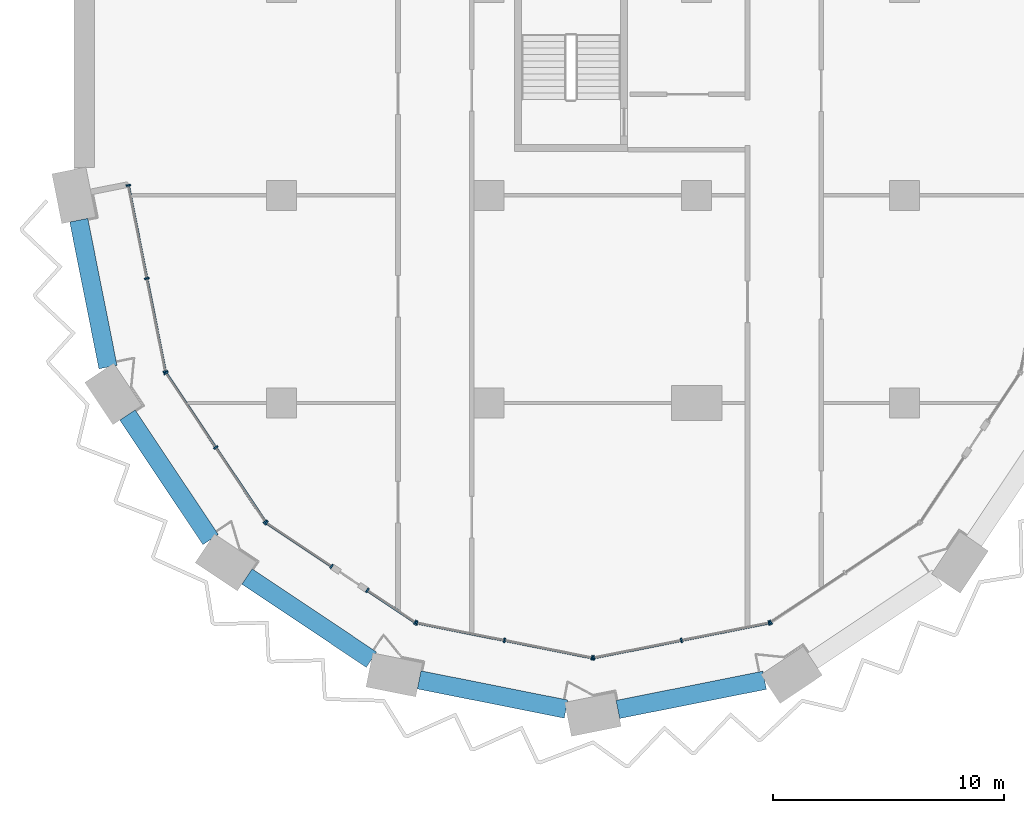
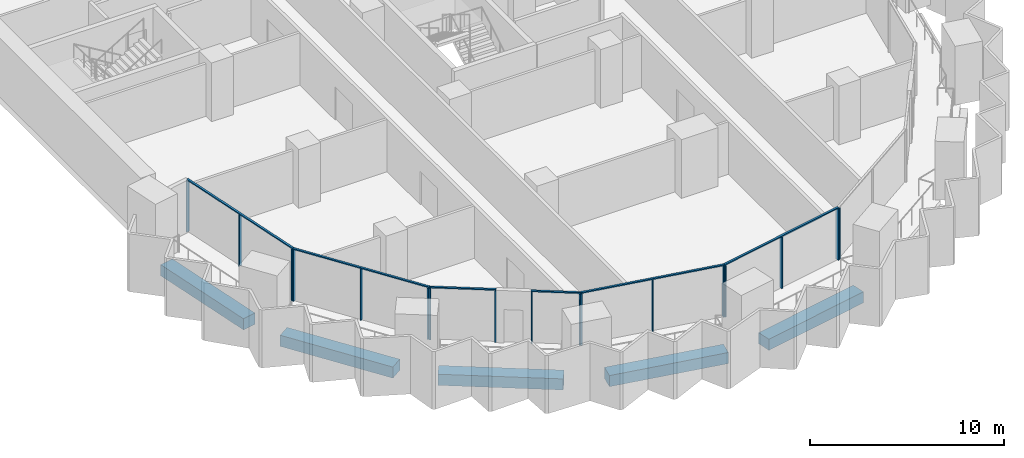
# One storey, part 2 of 22: 23 members, 5 beams, 7 elements without a shape of their own.
"""IFC4 building model written with IfcOpenShell, lengths in metres."""

from ifc_helpers import new_model, si_unit, direction, frame, origin, origin_2d, place, context, subcontext, project, spatial, rectangle, extrude, material, material_profile, profile_set, type_object, element, aggregate, save


model = new_model("IFC4")

# Units and contexts
model_context = context("Model", 3, precision=1e-05, world=origin(), true_north=direction((0.0, 1.0)))
body_context = subcontext(model_context, "Body", "Model", "MODEL_VIEW")
ifc_project = project(units=[si_unit("LENGTHUNIT", "METRE"), si_unit("AREAUNIT", "SQUARE_METRE"), si_unit("VOLUMEUNIT", "CUBIC_METRE"), si_unit("PLANEANGLEUNIT", "RADIAN"), si_unit("MASSUNIT", "GRAM", prefix="KILO")], contexts=[model_context])

# Site, building, storey
site_placement = place(None, origin())
site = spatial("IfcSite", under=ifc_project, at=site_placement, CompositionType="ELEMENT")
building_placement = place(site_placement, origin())
building = spatial("IfcBuilding", under=site, at=building_placement, Name="Hunhe Ridgeline Campus", CompositionType="ELEMENT")
storey_placement = place(building_placement, frame((0.0, 0.0, 118.10009765625)))
storey = spatial("IfcBuildingStorey", under=building, at=storey_placement, Name="L29", CompositionType="ELEMENT", Elevation=118.10009765625)

# Curtain wall, members
ifc_material_1 = material(Name="Aluminium 6063", Category="aluminium")
curtain_wall_type = type_object("IfcCurtainWallType", Name="Curtain wall CW-5", PredefinedType="NOTDEFINED", material=ifc_material_1)
curtain_wall_1_placement = place(storey_placement, origin())
curtain_wall_1 = element("IfcCurtainWall", 1, at=curtain_wall_1_placement, inside=storey, type_object=curtain_wall_type, Name="Curtain wall 01", PredefinedType="NOTDEFINED")
ifc_material_profile_1 = material_profile(ifc_material_1, rectangle(XDim=0.199951171875, YDim=0.070068359375, at=origin_2d()))
ifc_profile_set_1 = profile_set([ifc_material_profile_1], Name="Aluminium 6063")
member_type_1 = type_object("IfcMemberType", Name="CW-5 aluminium mullion", PredefinedType="MULLION", material=ifc_profile_set_1)
member_1_placement = place(storey_placement, frame((2.361572265625, 27.434326171875, 0.0), z_axis=(0.0, 0.0, 1.0), x_axis=(0.980784280831, 0.195095347137, 0.0)))
member_1 = element("IfcMember", 2, at=member_1_placement, type_object=member_type_1, Name="CW-5 mullion 1", PredefinedType="MULLION", context=body_context, shape_type="SweptSolid", body=[
    extrude(rectangle(XDim=0.199951171875, YDim=0.070068359375, at=origin_2d()), origin(), (0.0, 0.0, 1.0), 3.22998046875),
])
member_2_placement = place(storey_placement, frame((3.16455078125, 23.3974609375, 0.0), z_axis=(0.0, 0.0, 1.0), x_axis=(0.980784280831, 0.195095347137, 0.0)))
member_2 = element("IfcMember", 3, at=member_2_placement, type_object=member_type_1, Name="CW-5 mullion 2", PredefinedType="MULLION", context=body_context, shape_type="SweptSolid", body=[
    extrude(rectangle(XDim=0.199951171875, YDim=0.070068359375, at=origin_2d()), origin(), (0.0, 0.0, 1.0), 3.22998046875),
])
member_3_placement = place(storey_placement, frame((3.967529296875, 19.36083984375, 0.0), z_axis=(0.0, 0.0, 1.0), x_axis=(0.980784280831, 0.195095347137, 0.0)))
member_3 = element("IfcMember", 4, at=member_3_placement, type_object=member_type_1, Name="CW-5 mullion 3", PredefinedType="MULLION", context=body_context, shape_type="SweptSolid", body=[
    extrude(rectangle(XDim=0.199951171875, YDim=0.070068359375, at=origin_2d()), origin(), (0.0, 0.0, 1.0), 3.22998046875),
])

curtain_wall_2_placement = place(storey_placement, origin())
curtain_wall_2 = element("IfcCurtainWall", 5, at=curtain_wall_2_placement, inside=storey, type_object=curtain_wall_type, Name="Curtain wall 02", PredefinedType="NOTDEFINED")
member_4_placement = place(storey_placement, frame((3.993896484375, 19.29736328125, 0.0), z_axis=(0.0, 0.0, 1.0), x_axis=(0.831469584522, 0.555570274596, 0.0)))
member_4 = element("IfcMember", 6, at=member_4_placement, type_object=member_type_1, Name="CW-5 mullion 1", PredefinedType="MULLION", context=body_context, shape_type="SweptSolid", body=[
    extrude(rectangle(XDim=0.199951171875, YDim=0.070068359375, at=origin_2d()), origin(), (0.0, 0.0, 1.0), 3.22998046875),
])
member_5_placement = place(storey_placement, frame((6.147705078125, 16.07373046875, 0.0), z_axis=(0.0, 0.0, 1.0), x_axis=(0.831469584522, 0.555570274596, 0.0)))
member_5 = element("IfcMember", 7, at=member_5_placement, type_object=member_type_1, Name="CW-5 mullion 2", PredefinedType="MULLION", context=body_context, shape_type="SweptSolid", body=[
    extrude(rectangle(XDim=0.199951171875, YDim=0.070068359375, at=origin_2d()), origin(), (0.0, 0.0, 1.0), 3.22998046875),
])
member_6_placement = place(storey_placement, frame((8.3017578125, 12.850341796875, 0.0), z_axis=(0.0, 0.0, 1.0), x_axis=(0.831469584522, 0.555570274596, 0.0)))
member_6 = element("IfcMember", 8, at=member_6_placement, type_object=member_type_1, Name="CW-5 mullion 3", PredefinedType="MULLION", context=body_context, shape_type="SweptSolid", body=[
    extrude(rectangle(XDim=0.199951171875, YDim=0.070068359375, at=origin_2d()), origin(), (0.0, 0.0, 1.0), 3.22998046875),
])

curtain_wall_3_placement = place(storey_placement, origin())
curtain_wall_3 = element("IfcCurtainWall", 9, at=curtain_wall_3_placement, inside=storey, type_object=curtain_wall_type, Name="Curtain wall 03", PredefinedType="NOTDEFINED")
member_7_placement = place(storey_placement, frame((8.350341796875, 12.8017578125, 0.0), z_axis=(0.0, 0.0, 1.0), x_axis=(0.555570257501, 0.831469595944, 0.0)))
member_7 = element("IfcMember", 10, at=member_7_placement, type_object=member_type_1, Name="CW-5 mullion 1", PredefinedType="MULLION", context=body_context, shape_type="SweptSolid", body=[
    extrude(rectangle(XDim=0.199951171875, YDim=0.070068359375, at=origin_2d()), origin(), (0.0, 0.0, 1.0), 3.22998046875),
])
member_8_placement = place(storey_placement, frame((11.17041015625, 10.917236328125, 0.0), z_axis=(0.0, 0.0, 1.0), x_axis=(0.555570257501, 0.831469595944, 0.0)))
member_8 = element("IfcMember", 11, at=member_8_placement, type_object=member_type_1, Name="CW-5 mullion 2", PredefinedType="MULLION", context=body_context, shape_type="SweptSolid", body=[
    extrude(rectangle(XDim=0.199951171875, YDim=0.070068359375, at=origin_2d()), origin(), (0.0, 0.0, 1.0), 3.22998046875),
])

curtain_wall_4_placement = place(storey_placement, origin())
curtain_wall_4 = element("IfcCurtainWall", 12, at=curtain_wall_4_placement, inside=storey, type_object=curtain_wall_type, Name="Curtain wall 04", PredefinedType="NOTDEFINED")
member_9_placement = place(storey_placement, frame((12.725341796875, 9.87841796875, 0.0), z_axis=(0.0, 0.0, 1.0), x_axis=(0.555570385598, 0.831469510353, 0.0)))
member_9 = element("IfcMember", 13, at=member_9_placement, type_object=member_type_1, Name="CW-5 mullion 1", PredefinedType="MULLION", context=body_context, shape_type="SweptSolid", body=[
    extrude(rectangle(XDim=0.199951171875, YDim=0.070068359375, at=origin_2d()), origin(), (0.0, 0.0, 1.0), 3.22998046875),
])
member_10_placement = place(storey_placement, frame((14.79736328125, 8.493896484375, 0.0), z_axis=(0.0, 0.0, 1.0), x_axis=(0.555570385598, 0.831469510353, 0.0)))
member_10 = element("IfcMember", 14, at=member_10_placement, type_object=member_type_1, Name="CW-5 mullion 2", PredefinedType="MULLION", context=body_context, shape_type="SweptSolid", body=[
    extrude(rectangle(XDim=0.199951171875, YDim=0.070068359375, at=origin_2d()), origin(), (0.0, 0.0, 1.0), 3.22998046875),
])

curtain_wall_5_placement = place(storey_placement, origin())
curtain_wall_5 = element("IfcCurtainWall", 15, at=curtain_wall_5_placement, inside=storey, type_object=curtain_wall_type, Name="Curtain wall 05", PredefinedType="NOTDEFINED")
member_11_placement = place(storey_placement, frame((14.86083984375, 8.467529296875, 0.0), z_axis=(0.0, 0.0, 1.0), x_axis=(0.195090347539, 0.980785275326, 0.0)))
member_11 = element("IfcMember", 16, at=member_11_placement, type_object=member_type_1, Name="CW-5 mullion 1", PredefinedType="MULLION", context=body_context, shape_type="SweptSolid", body=[
    extrude(rectangle(XDim=0.199951171875, YDim=0.070068359375, at=origin_2d()), origin(), (0.0, 0.0, 1.0), 3.22998046875),
])
member_12_placement = place(storey_placement, frame((18.663330078125, 7.711181640625, 0.0), z_axis=(0.0, 0.0, 1.0), x_axis=(0.195090347539, 0.980785275326, 0.0)))
member_12 = element("IfcMember", 17, at=member_12_placement, type_object=member_type_1, Name="CW-5 mullion 2", PredefinedType="MULLION", context=body_context, shape_type="SweptSolid", body=[
    extrude(rectangle(XDim=0.199951171875, YDim=0.070068359375, at=origin_2d()), origin(), (0.0, 0.0, 1.0), 3.22998046875),
])
member_13_placement = place(storey_placement, frame((22.465576171875, 6.954833984375, 0.0), z_axis=(0.0, 0.0, 1.0), x_axis=(0.195090347539, 0.980785275326, 0.0)))
member_13 = element("IfcMember", 18, at=member_13_placement, type_object=member_type_1, Name="CW-5 mullion 3", PredefinedType="MULLION", context=body_context, shape_type="SweptSolid", body=[
    extrude(rectangle(XDim=0.199951171875, YDim=0.070068359375, at=origin_2d()), origin(), (0.0, 0.0, 1.0), 3.22998046875),
])

curtain_wall_6_placement = place(storey_placement, origin())
curtain_wall_6 = element("IfcCurtainWall", 19, at=curtain_wall_6_placement, inside=storey, type_object=curtain_wall_type, Name="Curtain wall 06", PredefinedType="NOTDEFINED")
member_14_placement = place(storey_placement, frame((22.534423828125, 6.954833984375, 0.0), z_axis=(0.0, 0.0, 1.0), x_axis=(-0.195090347539, 0.980785275326, 0.0)))
member_14 = element("IfcMember", 20, at=member_14_placement, type_object=member_type_1, Name="CW-5 mullion 1", PredefinedType="MULLION", context=body_context, shape_type="SweptSolid", body=[
    extrude(rectangle(XDim=0.199951171875, YDim=0.070068359375, at=origin_2d()), origin(), (0.0, 0.0, 1.0), 3.22998046875),
])
member_15_placement = place(storey_placement, frame((26.336669921875, 7.711181640625, 0.0), z_axis=(0.0, 0.0, 1.0), x_axis=(-0.195090347539, 0.980785275326, 0.0)))
member_15 = element("IfcMember", 21, at=member_15_placement, type_object=member_type_1, Name="CW-5 mullion 2", PredefinedType="MULLION", context=body_context, shape_type="SweptSolid", body=[
    extrude(rectangle(XDim=0.199951171875, YDim=0.070068359375, at=origin_2d()), origin(), (0.0, 0.0, 1.0), 3.22998046875),
])
member_16_placement = place(storey_placement, frame((30.13916015625, 8.467529296875, 0.0), z_axis=(0.0, 0.0, 1.0), x_axis=(-0.195090347539, 0.980785275326, 0.0)))
member_16 = element("IfcMember", 22, at=member_16_placement, type_object=member_type_1, Name="CW-5 mullion 3", PredefinedType="MULLION", context=body_context, shape_type="SweptSolid", body=[
    extrude(rectangle(XDim=0.199951171875, YDim=0.070068359375, at=origin_2d()), origin(), (0.0, 0.0, 1.0), 3.22998046875),
])

# Curtain wall, member
curtain_wall_7_placement = place(storey_placement, origin())
curtain_wall_7 = element("IfcCurtainWall", 23, at=curtain_wall_7_placement, inside=storey, type_object=curtain_wall_type, Name="Curtain wall 07", PredefinedType="NOTDEFINED")
member_17_placement = place(storey_placement, frame((30.20263671875, 8.493896484375, 0.0), z_axis=(0.0, 0.0, 1.0), x_axis=(-0.555570274596, 0.831469584522, 0.0)))
member_17 = element("IfcMember", 24, at=member_17_placement, type_object=member_type_1, Name="CW-5 mullion 1", PredefinedType="MULLION", context=body_context, shape_type="SweptSolid", body=[
    extrude(rectangle(XDim=0.199951171875, YDim=0.070068359375, at=origin_2d()), origin(), (0.0, 0.0, 1.0), 3.22998046875),
])
aggregate(curtain_wall_7, [member_17])

# Member
ifc_material_profile_2 = material_profile(ifc_material_1, rectangle(XDim=0.1201171875, YDim=0.070068359375, at=origin_2d()))
ifc_profile_set_2 = profile_set([ifc_material_profile_2], Name="Aluminium 6063")
member_type_2 = type_object("IfcMemberType", Name="CW-5 aluminium transom", PredefinedType="USERDEFINED", material=ifc_profile_set_2)
member_18_placement = place(storey_placement, frame((2.354736328125, 27.46875, 3.264892578125), z_axis=(0.195092405068, -0.980784866056, 0.0), x_axis=(0.980784866056, 0.195092405068, 0.0)))
member_18 = element("IfcMember", 25, at=member_18_placement, type_object=member_type_2, Name="CW-5 transom 1", ObjectType="TRANSOM", PredefinedType="USERDEFINED", context=body_context, shape_type="SweptSolid", body=[
    extrude(rectangle(XDim=0.1201171875, YDim=0.070068359375, at=origin_2d()), origin(), (0.0, 0.0, 1.0), 8.3017578125),
])

aggregate(curtain_wall_1, [member_18, member_1, member_2, member_3])

member_19_placement = place(storey_placement, frame((3.974365234375, 19.326416015625, 3.264892578125), z_axis=(0.5555640203, -0.831473763475, 0.0), x_axis=(0.831473763475, 0.5555640203, 0.0)))
member_19 = element("IfcMember", 26, at=member_19_placement, type_object=member_type_2, Name="CW-5 transom 1", ObjectType="TRANSOM", PredefinedType="USERDEFINED", context=body_context, shape_type="SweptSolid", body=[
    extrude(rectangle(XDim=0.1201171875, YDim=0.070068359375, at=origin_2d()), origin(), (0.0, 0.0, 1.0), 7.823974609375),
])

aggregate(curtain_wall_2, [member_19, member_4, member_5, member_6])

member_20_placement = place(storey_placement, frame((8.321044921875, 12.821044921875, 3.264892578125), z_axis=(0.831485714606, -0.555546133463, 0.0), x_axis=(0.555546133463, 0.831485714606, 0.0)))
member_20 = element("IfcMember", 27, at=member_20_placement, type_object=member_type_2, Name="CW-5 transom 1", ObjectType="TRANSOM", PredefinedType="USERDEFINED", context=body_context, shape_type="SweptSolid", body=[
    extrude(rectangle(XDim=0.1201171875, YDim=0.070068359375, at=origin_2d()), origin(), (0.0, 0.0, 1.0), 3.462158203125),
])

aggregate(curtain_wall_3, [member_20, member_7, member_8])

member_21_placement = place(storey_placement, frame((12.6962890625, 9.897705078125, 3.264892578125), z_axis=(0.831463388334, -0.555579547735, 0.0), x_axis=(0.555579547735, 0.831463388334, 0.0)))
member_21 = element("IfcMember", 28, at=member_21_placement, type_object=member_type_2, Name="CW-5 transom 1", ObjectType="TRANSOM", PredefinedType="USERDEFINED", context=body_context, shape_type="SweptSolid", body=[
    extrude(rectangle(XDim=0.1201171875, YDim=0.070068359375, at=origin_2d()), origin(), (0.0, 0.0, 1.0), 2.56201171875),
])

aggregate(curtain_wall_4, [member_21, member_9, member_10])

member_22_placement = place(storey_placement, frame((14.826416015625, 8.474365234375, 3.264892578125), z_axis=(0.980785367689, -0.195089883198, 0.0), x_axis=(0.195089883198, 0.980785367689, 0.0)))
member_22 = element("IfcMember", 29, at=member_22_placement, type_object=member_type_2, Name="CW-5 transom 1", ObjectType="TRANSOM", PredefinedType="USERDEFINED", context=body_context, shape_type="SweptSolid", body=[
    extrude(rectangle(XDim=0.1201171875, YDim=0.070068359375, at=origin_2d()), origin(), (0.0, 0.0, 1.0), 7.823974609375),
])

aggregate(curtain_wall_5, [member_22, member_11, member_12, member_13])

member_23_placement = place(storey_placement, frame((22.5, 6.947998046875, 3.264892578125), z_axis=(0.980785367689, 0.195089883198, 0.0), x_axis=(-0.195089883198, 0.980785367689, 0.0)))
member_23 = element("IfcMember", 30, at=member_23_placement, type_object=member_type_2, Name="CW-5 transom 1", ObjectType="TRANSOM", PredefinedType="USERDEFINED", context=body_context, shape_type="SweptSolid", body=[
    extrude(rectangle(XDim=0.1201171875, YDim=0.070068359375, at=origin_2d()), origin(), (0.0, 0.0, 1.0), 7.823974609375),
])

aggregate(curtain_wall_6, [member_23, member_14, member_15, member_16])

# Beams
ifc_material_2 = material(Name="Concrete C60", Category="concrete")
ifc_material_profile_3 = material_profile(ifc_material_2, rectangle(XDim=0.800048828125, YDim=0.699951171875, at=origin_2d()))
ifc_profile_set_3 = profile_set([ifc_material_profile_3], Name="Concrete C60")
beam_type = type_object("IfcBeamType", Name="RC spandrel beam 800x700 Concrete C60", PredefinedType="SPANDREL", material=ifc_profile_set_3)
for number, where, z_axis, x_axis, name in (
    (31, (0.214599609375, 25.921142578125, -0.60009765625), (0.195095759636, -0.980784198778, 0.0), (0.980784198778, 0.195095759636, 0.0), "Spandrel beam B1-1 L29"),
    (32, (2.32373046875, 17.47509765625, -0.60009765625), (0.555585540178, -0.831459384183, 0.0), (0.831459384183, 0.555585540178, 0.0), "Spandrel beam B1-2 L29"),
    (33, (7.504638671875, 10.47900390625, -0.60009765625), (0.831476765351, -0.555559527577, 0.0), (0.555559527577, 0.831476765351, 0.0), "Spandrel beam B1-3 L29"),
    (34, (14.968505859375, 5.998046875, -0.60009765625), (0.980784198778, -0.195095759636, 0.0), (0.195095759636, 0.980784198778, 0.0), "Spandrel beam B1-4 L29"),
    (35, (23.578857421875, 4.714599609375, -0.60009765625), (0.980784198778, 0.195095759636, 0.0), (-0.195095759636, 0.980784198778, 0.0), "Spandrel beam B1-5 L29"),
):
    element("IfcBeam", number, at=place(storey_placement, frame(where, z_axis=z_axis, x_axis=x_axis)), inside=storey, type_object=beam_type, Name=name, PredefinedType="SPANDREL", context=body_context, shape_type="SweptSolid", body=[
        extrude(rectangle(XDim=0.800048828125, YDim=0.699951171875, at=origin_2d()), origin(), (0.0, 0.0, 1.0), 6.488525390625),
    ])

save(model, "model.ifc")
